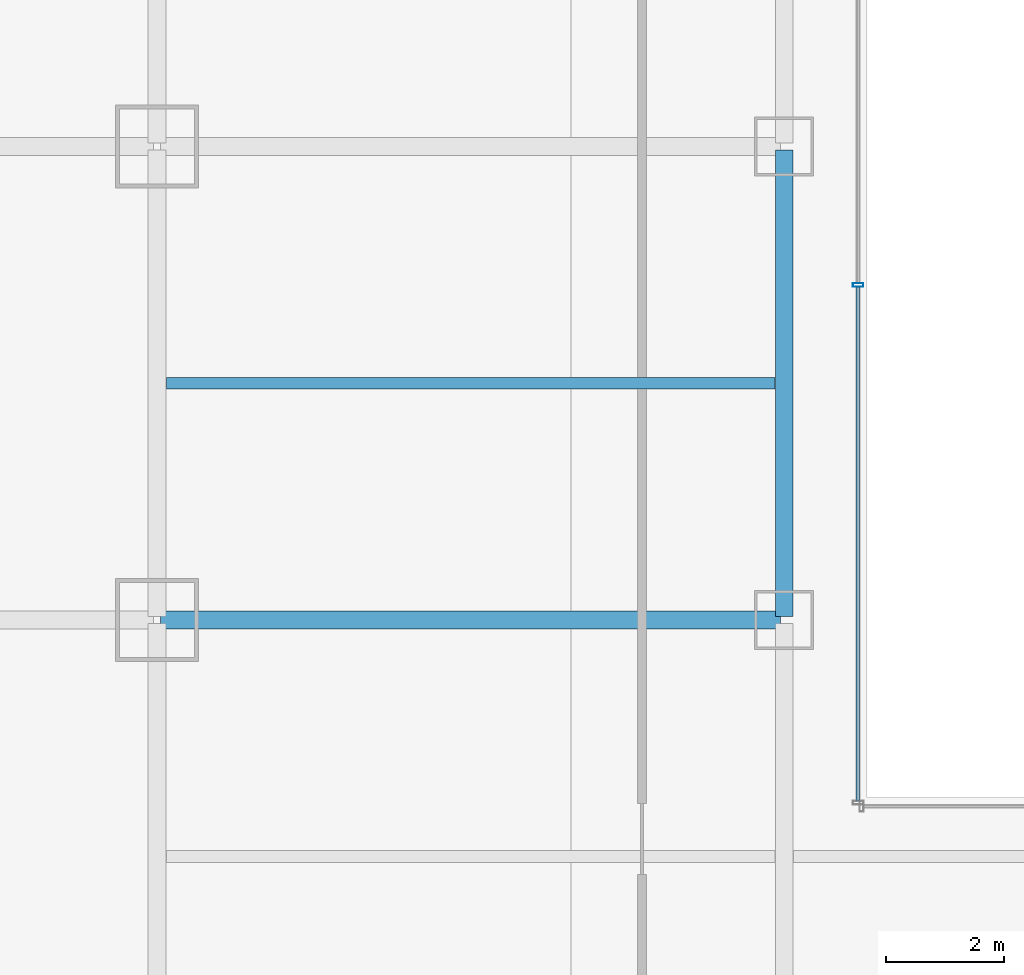
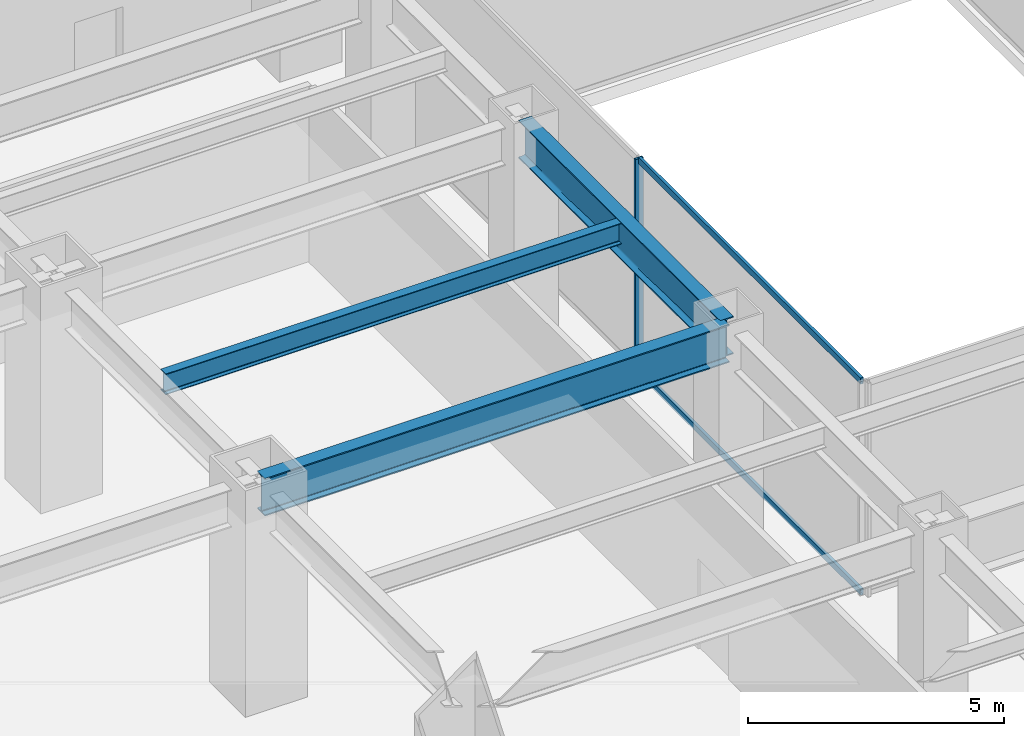
# One storey, part 13 of 52: 3 beams, 3 members, 1 element without a shape of its own.
"""IFC4 building model written with IfcOpenShell, lengths in metres."""

from ifc_helpers import new_model, si_unit, direction, frame, origin, origin_2d, place, context, subcontext, project, spatial, hollow_rectangle, i_section, extrude, material, material_profile, profile_set, type_object, element, aggregate, save


model = new_model("IFC4")

# Units and contexts
model_context = context("Model", 3, precision=1e-05, world=origin(), true_north=direction((0.0, 1.0)))
body_context = subcontext(model_context, "Body", "Model", "MODEL_VIEW")
ifc_project = project(units=[si_unit("LENGTHUNIT", "METRE"), si_unit("AREAUNIT", "SQUARE_METRE"), si_unit("VOLUMEUNIT", "CUBIC_METRE"), si_unit("PLANEANGLEUNIT", "RADIAN"), si_unit("MASSUNIT", "GRAM", prefix="KILO")], contexts=[model_context])

# Site, building, storey
site_placement = place(None, origin())
site = spatial("IfcSite", under=ifc_project, at=site_placement, CompositionType="ELEMENT")
building_placement = place(site_placement, origin())
building = spatial("IfcBuilding", under=site, at=building_placement, Name="Saevonmaru Cultural Tower", CompositionType="ELEMENT")
storey_placement = place(building_placement, frame((0.0, 0.0, 11.39990234375)))
storey = spatial("IfcBuildingStorey", under=building, at=storey_placement, Name="L02", CompositionType="ELEMENT", Elevation=11.39990234375)

# Beams
ifc_material_1 = material(Name="Steel SM420", Category="steel")
ifc_material_profile_1 = material_profile(ifc_material_1, i_section(OverallWidth=0.300048828125, OverallDepth=0.89990234375, WebThickness=0.01611328125, FlangeThickness=0.028076171875, FilletRadius=0.028076171875, at=origin_2d()), Name="H-900x300x16x28")
ifc_profile_set_1 = profile_set([ifc_material_profile_1], Name="Steel SM420")
beam_type_1 = type_object("IfcBeamType", Name="BM-G-H900", PredefinedType="BEAM", material=ifc_profile_set_1)
beam_1_placement = place(storey_placement, frame((22.800048828125, 24.06005859375, 4.650146484375), z_axis=(0.0, 1.0, 0.0), x_axis=(-1.0, 0.0, 0.0)))
element("IfcBeam", 1, at=beam_1_placement, inside=storey, type_object=beam_type_1, Name="L02 Podium Girder NS2-4", PredefinedType="BEAM", context=body_context, shape_type="SweptSolid", body=[
    extrude(i_section(OverallWidth=0.300048828125, OverallDepth=0.89990234375, WebThickness=0.01611328125, FlangeThickness=0.028076171875, FilletRadius=0.028076171875, at=origin_2d()), origin(), (0.0, 0.0, 1.0), 7.8798828125),
])
beam_2_placement = place(storey_placement, frame((12.260009765625, 24.0, 4.650146484375), z_axis=(1.0, 0.0, 0.0), x_axis=(0.0, 1.0, 0.0)))
element("IfcBeam", 2, at=beam_2_placement, inside=storey, type_object=beam_type_1, Name="L02 Gallery Girder W-3", PredefinedType="BEAM", context=body_context, shape_type="SweptSolid", body=[
    extrude(i_section(OverallWidth=0.300048828125, OverallDepth=0.89990234375, WebThickness=0.01611328125, FlangeThickness=0.028076171875, FilletRadius=0.028076171875, at=origin_2d()), origin(), (0.0, 0.0, 1.0), 10.47998046875),
])
ifc_material_2 = material(Name="Steel SM355", Category="steel")
ifc_material_profile_2 = material_profile(ifc_material_2, i_section(OverallWidth=0.199951171875, OverallDepth=0.5, WebThickness=0.010009765625, FlangeThickness=0.01611328125, FilletRadius=0.02001953125, at=origin_2d()), Name="H-500x200x10x16")
ifc_profile_set_2 = profile_set([ifc_material_profile_2], Name="Steel SM355")
beam_type_2 = type_object("IfcBeamType", Name="BM-J-H500", PredefinedType="JOIST", material=ifc_profile_set_2)
beam_3_placement = place(storey_placement, frame((12.35791015625, 28.0, 4.85009765625), z_axis=(1.0, 0.0, 0.0), x_axis=(0.0, 1.0, 0.0)))
element("IfcBeam", 3, at=beam_3_placement, inside=storey, type_object=beam_type_2, Name="L02 Secondary Floor Joist JW-3", PredefinedType="JOIST", context=body_context, shape_type="SweptSolid", body=[
    extrude(i_section(OverallWidth=0.199951171875, OverallDepth=0.5, WebThickness=0.010009765625, FlangeThickness=0.01611328125, FilletRadius=0.02001953125, at=origin_2d()), origin(), (0.0, 0.0, 1.0), 10.2841796875),
])

# Curtain wall, members
ifc_material_3 = material(Name="Satin Bronze Anodised Aluminium", Category="aluminium")
curtain_wall_type = type_object("IfcCurtainWallType", Name="CW-ATR-GLZ", PredefinedType="NOTDEFINED", material=ifc_material_3)
curtain_wall_placement = place(storey_placement, origin())
curtain_wall = element("IfcCurtainWall", 4, at=curtain_wall_placement, inside=storey, type_object=curtain_wall_type, Name="L02 Vertical Atrium Glazed Smoke Screen 4", PredefinedType="NOTDEFINED")
ifc_material_profile_3 = material_profile(ifc_material_3, hollow_rectangle(XDim=0.06494140625, YDim=0.179931640625, WallThickness=0.00390625, at=origin_2d()), Name="ALU-MULL-180x65x4")
ifc_profile_set_3 = profile_set([ifc_material_profile_3], Name="Satin Bronze Anodised Aluminium")
member_type_1 = type_object("IfcMemberType", Name="ML-CW-INT-180x65", PredefinedType="MULLION", material=ifc_profile_set_3)
member_1_placement = place(storey_placement, frame((24.050048828125, 29.659912109375, 0.0), z_axis=(0.0, 0.0, 1.0), x_axis=(0.0, -1.0, 0.0)))
member_1 = element("IfcMember", 5, at=member_1_placement, type_object=member_type_1, Name="CW-ATR-L02-4 mullion 2", PredefinedType="MULLION", context=body_context, shape_type="SweptSolid", body=[
    extrude(hollow_rectangle(XDim=0.06494140625, YDim=0.179931640625, WallThickness=0.00390625, at=origin_2d()), origin(), (0.0, 0.0, 1.0), 5.10009765625),
])
ifc_material_profile_4 = material_profile(ifc_material_3, hollow_rectangle(XDim=0.06494140625, YDim=0.14990234375, WallThickness=0.00390625, at=origin_2d()), Name="ALU-TRAN-150x65x4")
ifc_profile_set_4 = profile_set([ifc_material_profile_4], Name="Satin Bronze Anodised Aluminium")
member_type_2 = type_object("IfcMemberType", Name="TR-CW-INT-150x65", PredefinedType="USERDEFINED", material=ifc_profile_set_4)
member_2_placement = place(storey_placement, frame((24.050048828125, 29.62744140625, 0.03271484375), z_axis=(0.0, -1.0, 0.0), x_axis=(1.0, 0.0, 0.0)))
member_2 = element("IfcMember", 6, at=member_2_placement, type_object=member_type_2, Name="CW-ATR-L02-4 transom 2.1", ObjectType="TRANSOM", PredefinedType="USERDEFINED", context=body_context, shape_type="SweptSolid", body=[
    extrude(hollow_rectangle(XDim=0.06494140625, YDim=0.14990234375, WallThickness=0.00390625, at=origin_2d()), origin(), (0.0, 0.0, 1.0), 8.68505859375),
])
member_3_placement = place(storey_placement, frame((24.050048828125, 29.62744140625, 5.067626953125), z_axis=(0.0, -1.0, 0.0), x_axis=(1.0, 0.0, 0.0)))
member_3 = element("IfcMember", 7, at=member_3_placement, type_object=member_type_2, Name="CW-ATR-L02-4 transom 2.2", ObjectType="TRANSOM", PredefinedType="USERDEFINED", context=body_context, shape_type="SweptSolid", body=[
    extrude(hollow_rectangle(XDim=0.06494140625, YDim=0.14990234375, WallThickness=0.00390625, at=origin_2d()), origin(), (0.0, 0.0, 1.0), 8.68505859375),
])
aggregate(curtain_wall, [member_1, member_2, member_3])

save(model, "model.ifc")
